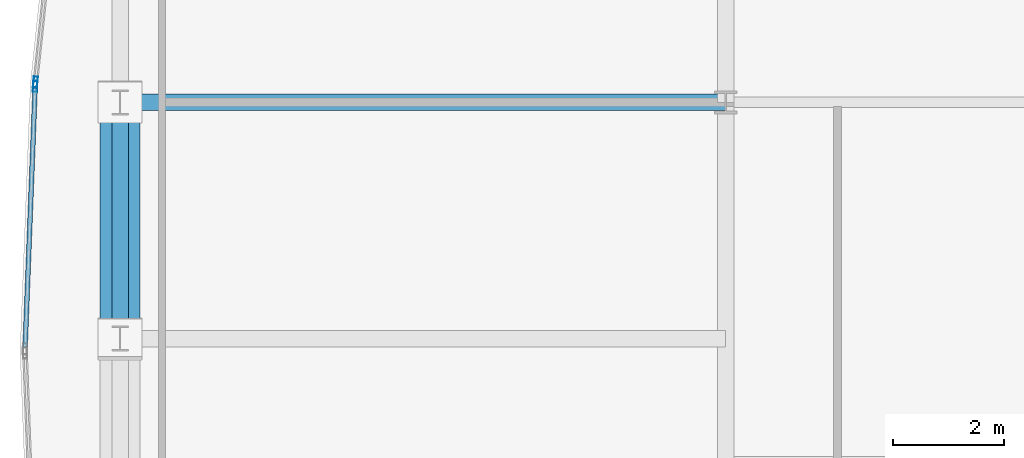
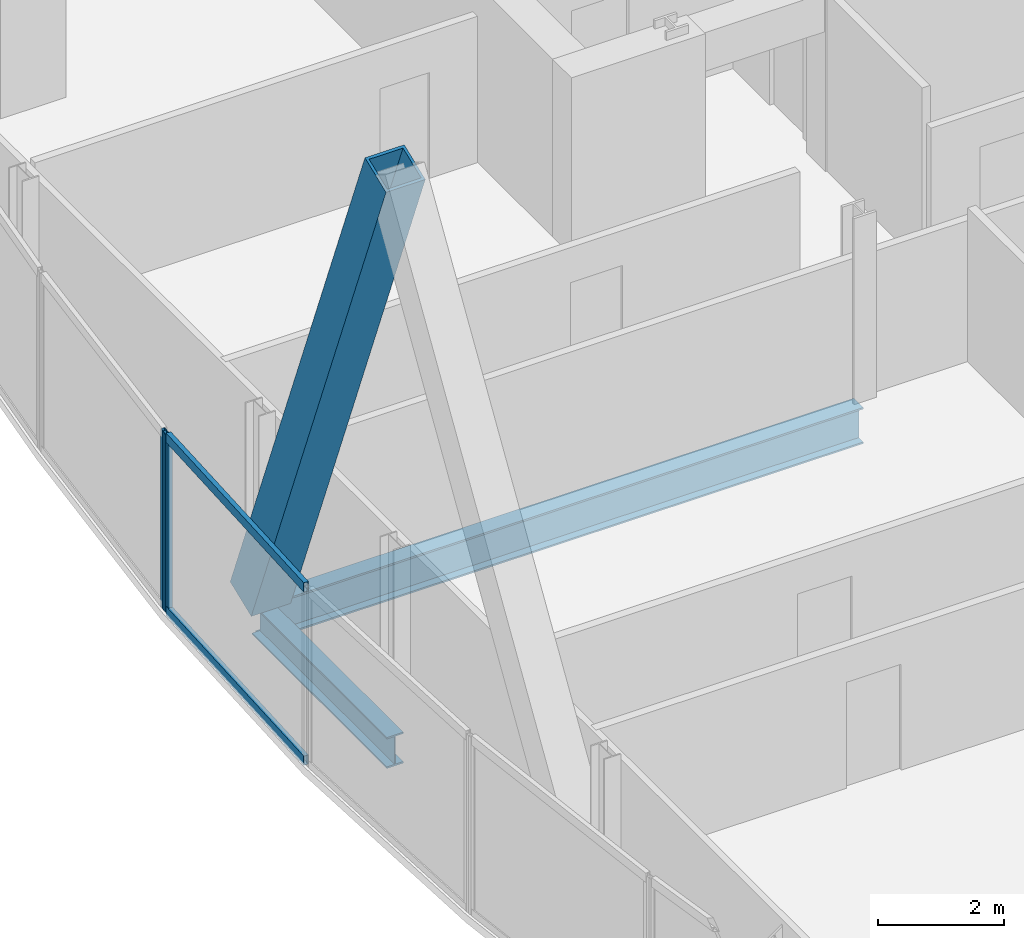
# One storey, part 11 of 32: 5 members, 2 beams, 2 elements without a shape of their own.
"""IFC4 building model written with IfcOpenShell, lengths in metres."""

from ifc_helpers import new_model, si_unit, direction, frame, origin, origin_2d, place, context, subcontext, project, spatial, hollow_rectangle, i_section, extrude, material, material_profile, profile_set, type_object, element, aggregate, save


model = new_model("IFC4")

# Units and contexts
model_context = context("Model", 3, precision=1e-05, world=origin(), true_north=direction((0.0, 1.0)))
body_context = subcontext(model_context, "Body", "Model", "MODEL_VIEW")
ifc_project = project(units=[si_unit("LENGTHUNIT", "METRE"), si_unit("AREAUNIT", "SQUARE_METRE"), si_unit("VOLUMEUNIT", "CUBIC_METRE"), si_unit("PLANEANGLEUNIT", "RADIAN"), si_unit("MASSUNIT", "GRAM", prefix="KILO")], contexts=[model_context])

# Site, building, storey
site_placement = place(None, origin())
site = spatial("IfcSite", under=ifc_project, at=site_placement, CompositionType="ELEMENT")
building_placement = place(site_placement, origin())
building = spatial("IfcBuilding", under=site, at=building_placement, Name="Khoronbel Lancet Exchange", CompositionType="ELEMENT")
storey_placement = place(building_placement, frame((0.0, 0.0, 199.39990234375)))
storey = spatial("IfcBuildingStorey", under=building, at=storey_placement, Name="L50", CompositionType="ELEMENT", Elevation=199.39990234375)

# Beams
ifc_material_1 = material(Name="Steel S355", Category="steel")
ifc_material_profile_1 = material_profile(ifc_material_1, i_section(OverallWidth=0.300048828125, OverallDepth=0.699951171875, WebThickness=0.01708984375, FlangeThickness=0.031982421875, at=origin_2d()), Name="HEB 700")
ifc_profile_set_1 = profile_set([ifc_material_profile_1], Name="Steel S355")
beam_type_1 = type_object("IfcBeamType", Name="BM-BG3", PredefinedType="BEAM", material=ifc_profile_set_1)
beam_1_placement = place(storey_placement, frame((7.27001953125, 35.699951171875, -0.510009765625), z_axis=(1.0, 0.0, 0.0), x_axis=(0.0, 1.0, 0.0)))
element("IfcBeam", 1, at=beam_1_placement, inside=storey, type_object=beam_type_1, Name="Level L50 west lens tie girder LG4W", PredefinedType="BEAM", context=body_context, shape_type="SweptSolid", body=[
    extrude(i_section(OverallWidth=0.300048828125, OverallDepth=0.699951171875, WebThickness=0.01708984375, FlangeThickness=0.031982421875, at=origin_2d()), origin(), (0.0, 0.0, 1.0), 10.955078125),
])
ifc_material_profile_2 = material_profile(ifc_material_1, i_section(OverallWidth=0.300048828125, OverallDepth=0.60009765625, WebThickness=0.015380859375, FlangeThickness=0.030029296875, at=origin_2d()), Name="HEB 600")
ifc_profile_set_2 = profile_set([ifc_material_profile_2], Name="Steel S355")
beam_type_2 = type_object("IfcBeamType", Name="BM-BSP2", PredefinedType="SPANDREL", material=ifc_profile_set_2)
beam_2_placement = place(storey_placement, frame((7.27001953125, 35.699951171875, -0.4599609375), z_axis=(0.0, -1.0, 0.0), x_axis=(1.0, 0.0, 0.0)))
element("IfcBeam", 2, at=beam_2_placement, inside=storey, type_object=beam_type_2, Name="Level L50 perimeter spandrel beam SP18", PredefinedType="SPANDREL", context=body_context, shape_type="SweptSolid", body=[
    extrude(i_section(OverallWidth=0.300048828125, OverallDepth=0.60009765625, WebThickness=0.015380859375, FlangeThickness=0.030029296875, at=origin_2d()), origin(), (0.0, 0.0, 1.0), 4.27490234375),
])

# Curtain wall, member
ifc_material_2 = material(Name="Low-E Solar Control Insulating Glass", Category="glass")
curtain_wall_type = type_object("IfcCurtainWallType", Name="CW-4", PredefinedType="NOTDEFINED", material=ifc_material_2)
curtain_wall_1_placement = place(storey_placement, origin())
curtain_wall_1 = element("IfcCurtainWall", 3, at=curtain_wall_1_placement, inside=storey, type_object=curtain_wall_type, Name="Unitised curtain wall CW-L50-E07", PredefinedType="NOTDEFINED")
ifc_material_3 = material(Name="Bronze-Anodised Aluminium 6063-T6", Category="aluminium")
ifc_material_profile_3 = material_profile(ifc_material_3, hollow_rectangle(XDim=0.074951171875, YDim=0.199951171875, WallThickness=0.0048828125, at=origin_2d()), Name="ALU MULLION 75x200")
ifc_profile_set_3 = profile_set([ifc_material_profile_3], Name="Bronze-Anodised Aluminium 6063-T6")
member_type_1 = type_object("IfcMemberType", Name="MEM-CWM2", PredefinedType="MULLION", material=ifc_profile_set_3)
member_1_placement = place(storey_placement, frame((5.734619140625, 35.9892578125, 0.0), z_axis=(0.0, 0.0, 1.0), x_axis=(-0.999259155008, 0.038485596441, 0.0)))
member_1 = element("IfcMember", 4, at=member_1_placement, type_object=member_type_1, Name="CW4 mullion 2", PredefinedType="MULLION", context=body_context, shape_type="SweptSolid", body=[
    extrude(hollow_rectangle(XDim=0.074951171875, YDim=0.199951171875, WallThickness=0.0048828125, at=origin_2d()), origin(), (0.0, 0.0, 1.0), 3.440185546875),
])

curtain_wall_2_placement = place(storey_placement, origin())
curtain_wall_2 = element("IfcCurtainWall", 5, at=curtain_wall_2_placement, inside=storey, type_object=curtain_wall_type, Name="Unitised curtain wall CW-L50-E08", PredefinedType="NOTDEFINED")
member_2_placement = place(storey_placement, frame((5.739990234375, 36.064208984375, 0.0), z_axis=(0.0, 0.0, 1.0), x_axis=(-0.994505340069, 0.104685856606, 0.0)))
member_2 = element("IfcMember", 6, at=member_2_placement, type_object=member_type_1, Name="CW4 mullion 1", PredefinedType="MULLION", context=body_context, shape_type="SweptSolid", body=[
    extrude(hollow_rectangle(XDim=0.074951171875, YDim=0.199951171875, WallThickness=0.0048828125, at=origin_2d()), origin(), (0.0, 0.0, 1.0), 3.440185546875),
])
aggregate(curtain_wall_2, [member_2])

# Member
ifc_material_profile_4 = material_profile(ifc_material_3, hollow_rectangle(XDim=0.0849609375, YDim=0.179931640625, WallThickness=0.0048828125, at=origin_2d()), Name="ALU TRANSOM 85x180")
ifc_profile_set_4 = profile_set([ifc_material_profile_4], Name="Bronze-Anodised Aluminium 6063-T6")
member_type_2 = type_object("IfcMemberType", Name="MEM-CWT1", PredefinedType="USERDEFINED", material=ifc_profile_set_4)
member_3_placement = place(storey_placement, frame((5.552978515625, 31.27490234375, 0.04248046875), z_axis=(0.038495222777, 0.999258784211, 0.0), x_axis=(-0.999258784211, 0.038495222777, 0.0)))
member_3 = element("IfcMember", 7, at=member_3_placement, type_object=member_type_2, Name="CW4 transom 1.1", ObjectType="TRANSOM", PredefinedType="USERDEFINED", context=body_context, shape_type="SweptSolid", body=[
    extrude(hollow_rectangle(XDim=0.0849609375, YDim=0.179931640625, WallThickness=0.0048828125, at=origin_2d()), origin(), (0.0, 0.0, 1.0), 4.680419921875),
])

member_4_placement = place(storey_placement, frame((5.552978515625, 31.27490234375, 3.397705078125), z_axis=(0.038495222777, 0.999258784211, 0.0), x_axis=(-0.999258784211, 0.038495222777, 0.0)))
member_4 = element("IfcMember", 8, at=member_4_placement, type_object=member_type_2, Name="CW4 transom 1.2", ObjectType="TRANSOM", PredefinedType="USERDEFINED", context=body_context, shape_type="SweptSolid", body=[
    extrude(hollow_rectangle(XDim=0.0849609375, YDim=0.179931640625, WallThickness=0.0048828125, at=origin_2d()), origin(), (0.0, 0.0, 1.0), 4.680419921875),
])

aggregate(curtain_wall_1, [member_1, member_3, member_4])

ifc_material_4 = material(Name="Steel S460", Category="steel")
ifc_material_profile_5 = material_profile(ifc_material_4, hollow_rectangle(XDim=0.719970703125, YDim=0.719970703125, WallThickness=0.050048828125, at=origin_2d()), Name="BOX 720x720x50")
ifc_profile_set_5 = profile_set([ifc_material_profile_5], Name="Steel S460")
member_type_3 = type_object("IfcMemberType", Name="MEM-MB2", PredefinedType="BRACE", material=ifc_profile_set_5)
member_5_placement = place(storey_placement, frame((7.27001953125, 35.699951171875, 0.0), z_axis=(0.0, -0.368039743753, 0.929810059646), x_axis=(1.0, 0.0, 0.0)))
element("IfcMember", 9, at=member_5_placement, inside=storey, type_object=member_type_3, Name="Perimeter lancet brace tier 17 W-P-R", PredefinedType="BRACE", context=body_context, shape_type="SweptSolid", body=[
    extrude(hollow_rectangle(XDim=0.719970703125, YDim=0.719970703125, WallThickness=0.050048828125, at=origin_2d()), origin(), (0.0, 0.0, 1.0), 11.615234375),
])

save(model, "model.ifc")
